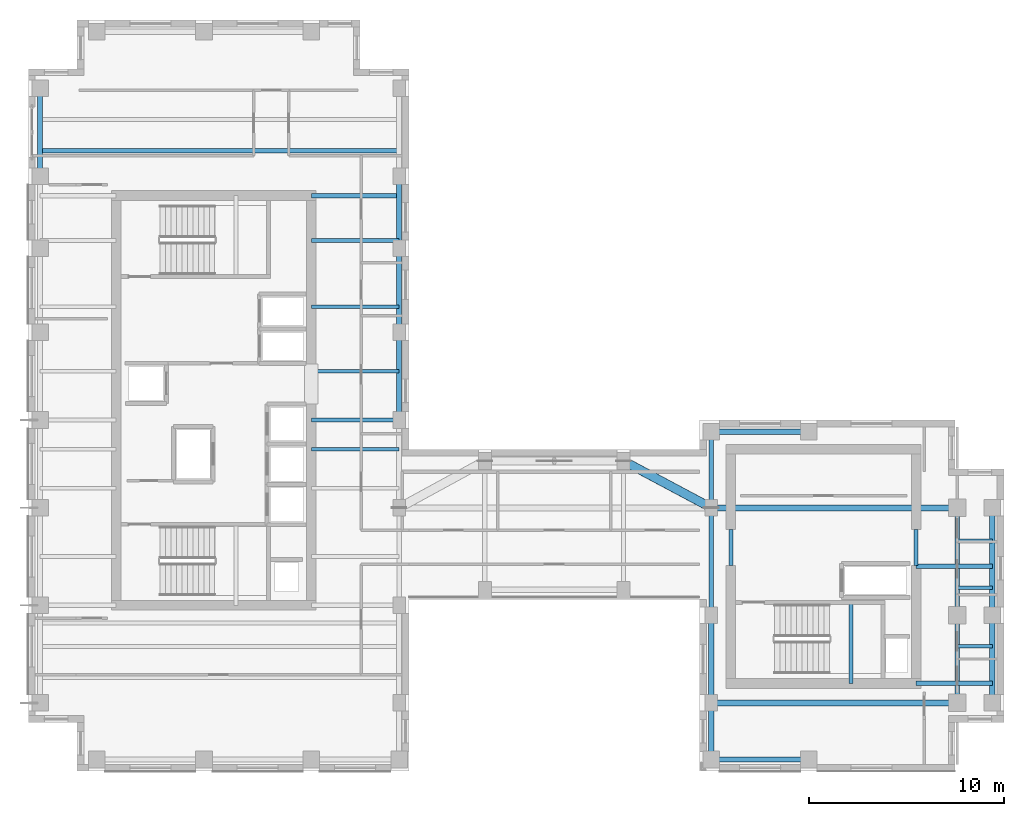
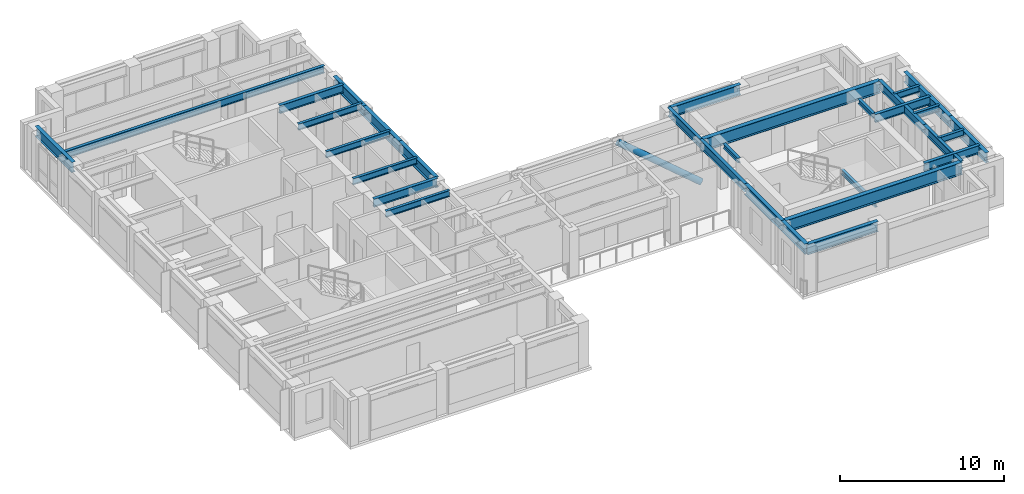
# One storey, part 3 of 13: 31 beams, 1 member.
"""IFC4 building model written with IfcOpenShell, lengths in metres."""

from ifc_helpers import new_model, si_unit, direction, frame, origin, origin_2d, place, context, subcontext, project, spatial, hollow_circle, i_section, extrude, source, transform, mapped, material, material_profile, profile_set, type_object, element, save


model = new_model("IFC4")

# Units and contexts
model_context = context("Model", 3, precision=1e-05, world=origin(), true_north=direction((0.0, 1.0)))
body_context = subcontext(model_context, "Body", "Model", "MODEL_VIEW")
ifc_project = project(units=[si_unit("LENGTHUNIT", "METRE"), si_unit("AREAUNIT", "SQUARE_METRE"), si_unit("VOLUMEUNIT", "CUBIC_METRE"), si_unit("PLANEANGLEUNIT", "RADIAN"), si_unit("MASSUNIT", "GRAM", prefix="KILO")], contexts=[model_context])

# Site, building, storey
site_placement = place(None, origin())
site = spatial("IfcSite", under=ifc_project, at=site_placement, CompositionType="ELEMENT")
building_placement = place(site_placement, origin())
building = spatial("IfcBuilding", under=site, at=building_placement, Name="Kharzan Plaza Tower", CompositionType="ELEMENT")
storey_placement = place(building_placement, frame((0.0, 0.0, 244.800048828125)))
storey = spatial("IfcBuildingStorey", under=building, at=storey_placement, Name="L66", CompositionType="ELEMENT", Elevation=244.800048828125)

# Beams
ifc_material = material(Name="Steel S355", Category="steel")
ifc_material_profile_1 = material_profile(ifc_material, i_section(OverallWidth=0.205078125, OverallDepth=0.35400390625, WebThickness=0.009521484375, FlangeThickness=0.016845703125, at=origin_2d()), Name="W360x79")
ifc_profile_set_1 = profile_set([ifc_material_profile_1], Name="Steel S355")
beam_type_1 = type_object("IfcBeamType", Name="BM-LNT360", PredefinedType="LINTEL", material=ifc_profile_set_1)
shared_shape_1 = source(origin(), body_context, "Body", "SweptSolid", [
    extrude(i_section(OverallWidth=0.205078125, OverallDepth=0.35400390625, WebThickness=0.009521484375, FlangeThickness=0.016845703125, at=origin_2d()), origin(), (0.0, 0.0, 1.0), 1.849853515625),
])
for number, where, z_axis, x_axis, name in (
    (1, (45.5, 10.550048828125, 3.222900390625), (0.0, 1.0, 0.0), (-1.0, 0.0, 0.0), "L66 CORE-B coupling lintel LN1-WE"),
    (2, (36.0, 10.550048828125, 3.222900390625), (0.0, 1.0, 0.0), (-1.0, 0.0, 0.0), "L66 CORE-B coupling lintel LN1-WW"),
):
    element("IfcBeam", number, at=place(storey_placement, frame(where, z_axis=z_axis, x_axis=x_axis)), inside=storey, type_object=beam_type_1, Name=name, PredefinedType="LINTEL", context=body_context, shape_type="MappedRepresentation", body=[
        mapped(shared_shape_1, transform((0.0, 0.0, 0.0), x_axis=(1.0, 0.0, 0.0), y_axis=(0.0, 1.0, 0.0), z_axis=(0.0, 0.0, 1.0))),
    ])
shared_shape_2 = source(origin(), body_context, "Body", "SweptSolid", [
    extrude(i_section(OverallWidth=0.205078125, OverallDepth=0.35400390625, WebThickness=0.009521484375, FlangeThickness=0.016845703125, at=origin_2d()), origin(), (0.0, 0.0, 1.0), 4.155029296875),
])
beam_1_placement = place(storey_placement, frame((42.14990234375, 4.5, 1.4228515625), z_axis=(0.0, 1.0, 0.0), x_axis=(-1.0, 0.0, 0.0)))
element("IfcBeam", 3, at=beam_1_placement, inside=storey, type_object=beam_type_1, Name="L66 Stair ST-3 Half-Landing Beam", PredefinedType="LINTEL", context=body_context, shape_type="MappedRepresentation", body=[
    mapped(shared_shape_2, transform((0.0, 0.0, 0.0), x_axis=(1.0, 0.0, 0.0), y_axis=(0.0, 1.0, 0.0), z_axis=(0.0, 0.0, 1.0))),
])
ifc_material_profile_2 = material_profile(ifc_material, i_section(OverallWidth=0.304931640625, OverallDepth=0.9189453125, WebThickness=0.017333984375, FlangeThickness=0.02783203125, at=origin_2d()), Name="W920x253")
ifc_profile_set_2 = profile_set([ifc_material_profile_2], Name="Steel S355")
beam_type_2 = type_object("IfcBeamType", Name="BM-FG920B", PredefinedType="BEAM", material=ifc_profile_set_2)
shared_shape_3 = source(origin(), body_context, "Body", "SweptSolid", [
    extrude(i_section(OverallWidth=0.304931640625, OverallDepth=0.9189453125, WebThickness=0.017333984375, FlangeThickness=0.02783203125, at=origin_2d()), origin(), (0.0, 0.0, 1.0), 12.60009765625),
])
for number, where, z_axis, x_axis, name in (
    (4, (35.0, 3.5, 2.9404296875), (1.0, 0.0, 0.0), (0.0, 1.0, 0.0), "L66 Primary Floor Girder"),
    (5, (35.0, 13.5, 2.9404296875), (1.0, 0.0, 0.0), (0.0, 1.0, 0.0), "L66 Primary Floor Girder"),
):
    element("IfcBeam", number, at=place(storey_placement, frame(where, z_axis=z_axis, x_axis=x_axis)), inside=storey, type_object=beam_type_2, Name=name, PredefinedType="BEAM", context=body_context, shape_type="MappedRepresentation", body=[
        mapped(shared_shape_3, transform((0.0, 0.0, 0.0), x_axis=(1.0, 0.0, 0.0), y_axis=(0.0, 1.0, 0.0), z_axis=(0.0, 0.0, 1.0))),
    ])
ifc_material_profile_3 = material_profile(ifc_material, i_section(OverallWidth=0.2099609375, OverallDepth=0.537109375, WebThickness=0.010986328125, FlangeThickness=0.017333984375, at=origin_2d()), Name="W530x101")
ifc_profile_set_3 = profile_set([ifc_material_profile_3], Name="Steel S355")
beam_type_3 = type_object("IfcBeamType", Name="BM-JST530B", PredefinedType="JOIST", material=ifc_profile_set_3)
shared_shape_4 = source(origin(), body_context, "Body", "SweptSolid", [
    extrude(i_section(OverallWidth=0.2099609375, OverallDepth=0.537109375, WebThickness=0.010986328125, FlangeThickness=0.017333984375, at=origin_2d()), origin(), (0.0, 0.0, 1.0), 18.39990234375),
])
beam_2_placement = place(storey_placement, frame((0.60009765625, 31.800048828125, 3.13134765625), z_axis=(1.0, 0.0, 0.0), x_axis=(0.0, 1.0, 0.0)))
element("IfcBeam", 6, at=beam_2_placement, inside=storey, type_object=beam_type_3, Name="L66 Wing A Composite Joist 04", PredefinedType="JOIST", context=body_context, shape_type="MappedRepresentation", body=[
    mapped(shared_shape_4, transform((0.0, 0.0, 0.0), x_axis=(1.0, 0.0, 0.0), y_axis=(0.0, 1.0, 0.0), z_axis=(0.0, 0.0, 1.0))),
])
ifc_material_profile_4 = material_profile(ifc_material, i_section(OverallWidth=0.194091796875, OverallDepth=0.468994140625, WebThickness=0.011474609375, FlangeThickness=0.0205078125, at=origin_2d()), Name="W460x106")
ifc_profile_set_4 = profile_set([ifc_material_profile_4], Name="Steel S355")
beam_type_4 = type_object("IfcBeamType", Name="BM-JST460", PredefinedType="JOIST", material=ifc_profile_set_4)
shared_shape_5 = source(origin(), body_context, "Body", "SweptSolid", [
    extrude(i_section(OverallWidth=0.194091796875, OverallDepth=0.468994140625, WebThickness=0.011474609375, FlangeThickness=0.0205078125, at=origin_2d()), origin(), (0.0, 0.0, 1.0), 4.5),
])
for number, where, z_axis, x_axis, name in (
    (7, (14.5, 16.5, 3.16552734375), (1.0, 0.0, 0.0), (0.0, 1.0, 0.0), "L66 Wing A East Infill Joist 3"),
    (8, (14.5, 20.5, 3.16552734375), (1.0, 0.0, 0.0), (0.0, 1.0, 0.0), "L66 Wing A East Infill Joist 4"),
    (9, (14.5, 23.800048828125, 3.16552734375), (1.0, 0.0, 0.0), (0.0, 1.0, 0.0), "L66 Wing A East Infill Joist 5"),
    (10, (14.5, 27.199951171875, 3.16552734375), (1.0, 0.0, 0.0), (0.0, 1.0, 0.0), "L66 Wing A East Infill Joist 6"),
):
    element("IfcBeam", number, at=place(storey_placement, frame(where, z_axis=z_axis, x_axis=x_axis)), inside=storey, type_object=beam_type_4, Name=name, PredefinedType="JOIST", context=body_context, shape_type="MappedRepresentation", body=[
        mapped(shared_shape_5, transform((0.0, 0.0, 0.0), x_axis=(1.0, 0.0, 0.0), y_axis=(0.0, 1.0, 0.0), z_axis=(0.0, 0.0, 1.0))),
    ])
ifc_material_profile_5 = material_profile(ifc_material, i_section(OverallWidth=0.22900390625, OverallDepth=0.612060546875, WebThickness=0.011962890625, FlangeThickness=0.01953125, at=origin_2d()), Name="W610x125")
ifc_profile_set_5 = profile_set([ifc_material_profile_5], Name="Steel S355")
beam_type_5 = type_object("IfcBeamType", Name="BM-FG610B", PredefinedType="BEAM", material=ifc_profile_set_5)
shared_shape_6 = source(origin(), body_context, "Body", "SweptSolid", [
    extrude(i_section(OverallWidth=0.22900390625, OverallDepth=0.612060546875, WebThickness=0.011962890625, FlangeThickness=0.01953125, at=origin_2d()), origin(), (0.0, 0.0, 1.0), 4.5),
])
for number, where, z_axis, x_axis, name in (
    (11, (14.5, 18.0, 3.093994140625), (1.0, 0.0, 0.0), (0.0, 1.0, 0.0), "L66 Core-A East Floor Girder 2"),
    (12, (14.5, 29.5, 3.093994140625), (1.0, 0.0, 0.0), (0.0, 1.0, 0.0), "L66 Core-A East Floor Girder 3"),
    (13, (47.60009765625, 3.5, 3.093994140625), (0.0, 1.0, 0.0), (-1.0, 0.0, 0.0), "L66 Interior Frame Girder"),
):
    element("IfcBeam", number, at=place(storey_placement, frame(where, z_axis=z_axis, x_axis=x_axis)), inside=storey, type_object=beam_type_5, Name=name, PredefinedType="BEAM", context=body_context, shape_type="MappedRepresentation", body=[
        mapped(shared_shape_6, transform((0.0, 0.0, 0.0), x_axis=(1.0, 0.0, 0.0), y_axis=(0.0, 1.0, 0.0), z_axis=(0.0, 0.0, 1.0))),
    ])
shared_shape_7 = source(origin(), body_context, "Body", "SweptSolid", [
    extrude(i_section(OverallWidth=0.22900390625, OverallDepth=0.612060546875, WebThickness=0.011962890625, FlangeThickness=0.01953125, at=origin_2d()), origin(), (0.0, 0.0, 1.0), 3.89990234375),
])
for number, where, z_axis, x_axis, name in (
    (14, (45.5, 4.5, 3.093994140625), (1.0, 0.0, 0.0), (0.0, 1.0, 0.0), "L66 Core-B East Floor Girder 1"),
    (15, (45.5, 10.5, 3.093994140625), (1.0, 0.0, 0.0), (0.0, 1.0, 0.0), "L66 Core-B East Floor Girder 2"),
    (16, (35.0, 13.5, 3.093994140625), (0.0, 1.0, 0.0), (-1.0, 0.0, 0.0), "L66 Interior Frame Girder"),
):
    element("IfcBeam", number, at=place(storey_placement, frame(where, z_axis=z_axis, x_axis=x_axis)), inside=storey, type_object=beam_type_5, Name=name, PredefinedType="BEAM", context=body_context, shape_type="MappedRepresentation", body=[
        mapped(shared_shape_7, transform((0.0, 0.0, 0.0), x_axis=(1.0, 0.0, 0.0), y_axis=(0.0, 1.0, 0.0), z_axis=(0.0, 0.0, 1.0))),
    ])
shared_shape_8 = source(origin(), body_context, "Body", "SweptSolid", [
    extrude(i_section(OverallWidth=0.22900390625, OverallDepth=0.612060546875, WebThickness=0.011962890625, FlangeThickness=0.01953125, at=origin_2d()), origin(), (0.0, 0.0, 1.0), 5.5),
])
for number, where, z_axis, x_axis, name in (
    (17, (35.0, 8.0, 3.093994140625), (0.0, 1.0, 0.0), (-1.0, 0.0, 0.0), "L66 Interior Frame Girder"),
    (18, (47.60009765625, 8.0, 3.093994140625), (0.0, 1.0, 0.0), (-1.0, 0.0, 0.0), "L66 Interior Frame Girder"),
):
    element("IfcBeam", number, at=place(storey_placement, frame(where, z_axis=z_axis, x_axis=x_axis)), inside=storey, type_object=beam_type_5, Name=name, PredefinedType="BEAM", context=body_context, shape_type="MappedRepresentation", body=[
        mapped(shared_shape_8, transform((0.0, 0.0, 0.0), x_axis=(1.0, 0.0, 0.0), y_axis=(0.0, 1.0, 0.0), z_axis=(0.0, 0.0, 1.0))),
    ])
shared_shape_9 = source(origin(), body_context, "Body", "SweptSolid", [
    extrude(i_section(OverallWidth=0.194091796875, OverallDepth=0.468994140625, WebThickness=0.011474609375, FlangeThickness=0.0205078125, at=origin_2d()), origin(), (0.0, 0.0, 1.0), 1.7998046875),
])
for number, where, z_axis, x_axis, name in (
    (19, (47.60009765625, 6.39990234375, 3.16552734375), (1.0, 0.0, 0.0), (0.0, 1.0, 0.0), "L66 Wing B Composite Joist 02"),
    (20, (47.60009765625, 9.39990234375, 3.16552734375), (1.0, 0.0, 0.0), (0.0, 1.0, 0.0), "L66 Wing B Composite Joist 03"),
    (21, (47.60009765625, 11.800048828125, 3.16552734375), (1.0, 0.0, 0.0), (0.0, 1.0, 0.0), "L66 Wing B Composite Joist 04"),
):
    element("IfcBeam", number, at=place(storey_placement, frame(where, z_axis=z_axis, x_axis=x_axis)), inside=storey, type_object=beam_type_4, Name=name, PredefinedType="JOIST", context=body_context, shape_type="MappedRepresentation", body=[
        mapped(shared_shape_9, transform((0.0, 0.0, 0.0), x_axis=(1.0, 0.0, 0.0), y_axis=(0.0, 1.0, 0.0), z_axis=(0.0, 0.0, 1.0))),
    ])
ifc_material_profile_6 = material_profile(ifc_material, i_section(OverallWidth=0.26708984375, OverallDepth=0.76611328125, WebThickness=0.014892578125, FlangeThickness=0.023681640625, at=origin_2d()), Name="W760x185")
ifc_profile_set_6 = profile_set([ifc_material_profile_6], Name="Steel S355")
beam_type_6 = type_object("IfcBeamType", Name="BM-SP760B", PredefinedType="SPANDREL", material=ifc_profile_set_6)
shared_shape_10 = source(origin(), body_context, "Body", "SweptSolid", [
    extrude(i_section(OverallWidth=0.26708984375, OverallDepth=0.76611328125, WebThickness=0.014892578125, FlangeThickness=0.023681640625, at=origin_2d()), origin(), (0.0, 0.0, 1.0), 5.0),
])
for number, where, z_axis, x_axis, name in (
    (22, (35.0, 0.60009765625, 3.016845703125), (1.0, 0.0, 0.0), (0.0, 1.0, 0.0), "L66 Perimeter Tube Spandrel"),
    (23, (35.0, 17.39990234375, 3.016845703125), (1.0, 0.0, 0.0), (0.0, 1.0, 0.0), "L66 Perimeter Tube Spandrel"),
):
    element("IfcBeam", number, at=place(storey_placement, frame(where, z_axis=z_axis, x_axis=x_axis)), inside=storey, type_object=beam_type_6, Name=name, PredefinedType="SPANDREL", context=body_context, shape_type="MappedRepresentation", body=[
        mapped(shared_shape_10, transform((0.0, 0.0, 0.0), x_axis=(1.0, 0.0, 0.0), y_axis=(0.0, 1.0, 0.0), z_axis=(0.0, 0.0, 1.0))),
    ])
shared_shape_11 = source(origin(), body_context, "Body", "SweptSolid", [
    extrude(i_section(OverallWidth=0.26708984375, OverallDepth=0.76611328125, WebThickness=0.014892578125, FlangeThickness=0.023681640625, at=origin_2d()), origin(), (0.0, 0.0, 1.0), 4.5),
])
for number, where, z_axis, x_axis, name in (
    (24, (0.60009765625, 30.5, 3.016845703125), (0.0, 1.0, 0.0), (-1.0, 0.0, 0.0), "L66 Perimeter Tube Spandrel"),
    (25, (19.0, 18.0, 3.016845703125), (0.0, 1.0, 0.0), (-1.0, 0.0, 0.0), "L66 Perimeter Tube Spandrel"),
    (26, (35.0, 3.5, 3.016845703125), (0.0, 1.0, 0.0), (-1.0, 0.0, 0.0), "L66 Perimeter Tube Spandrel"),
    (27, (49.39990234375, 3.5, 3.016845703125), (0.0, 1.0, 0.0), (-1.0, 0.0, 0.0), "L66 Perimeter Tube Spandrel"),
):
    element("IfcBeam", number, at=place(storey_placement, frame(where, z_axis=z_axis, x_axis=x_axis)), inside=storey, type_object=beam_type_6, Name=name, PredefinedType="SPANDREL", context=body_context, shape_type="MappedRepresentation", body=[
        mapped(shared_shape_11, transform((0.0, 0.0, 0.0), x_axis=(1.0, 0.0, 0.0), y_axis=(0.0, 1.0, 0.0), z_axis=(0.0, 0.0, 1.0))),
    ])
shared_shape_12 = source(origin(), body_context, "Body", "SweptSolid", [
    extrude(i_section(OverallWidth=0.26708984375, OverallDepth=0.76611328125, WebThickness=0.014892578125, FlangeThickness=0.023681640625, at=origin_2d()), origin(), (0.0, 0.0, 1.0), 4.300048828125),
])
beam_3_placement = place(storey_placement, frame((19.0, 22.5, 3.016845703125), z_axis=(0.0, 1.0, 0.0), x_axis=(-1.0, 0.0, 0.0)))
element("IfcBeam", 28, at=beam_3_placement, inside=storey, type_object=beam_type_6, Name="L66 Perimeter Tube Spandrel", PredefinedType="SPANDREL", context=body_context, shape_type="MappedRepresentation", body=[
    mapped(shared_shape_12, transform((0.0, 0.0, 0.0), x_axis=(1.0, 0.0, 0.0), y_axis=(0.0, 1.0, 0.0), z_axis=(0.0, 0.0, 1.0))),
])
shared_shape_13 = source(origin(), body_context, "Body", "SweptSolid", [
    extrude(i_section(OverallWidth=0.26708984375, OverallDepth=0.76611328125, WebThickness=0.014892578125, FlangeThickness=0.023681640625, at=origin_2d()), origin(), (0.0, 0.0, 1.0), 3.699951171875),
])
beam_4_placement = place(storey_placement, frame((19.0, 26.800048828125, 3.016845703125), z_axis=(0.0, 1.0, 0.0), x_axis=(-1.0, 0.0, 0.0)))
element("IfcBeam", 29, at=beam_4_placement, inside=storey, type_object=beam_type_6, Name="L66 Perimeter Tube Spandrel", PredefinedType="SPANDREL", context=body_context, shape_type="MappedRepresentation", body=[
    mapped(shared_shape_13, transform((0.0, 0.0, 0.0), x_axis=(1.0, 0.0, 0.0), y_axis=(0.0, 1.0, 0.0), z_axis=(0.0, 0.0, 1.0))),
])
shared_shape_14 = source(origin(), body_context, "Body", "SweptSolid", [
    extrude(i_section(OverallWidth=0.26708984375, OverallDepth=0.76611328125, WebThickness=0.014892578125, FlangeThickness=0.023681640625, at=origin_2d()), origin(), (0.0, 0.0, 1.0), 2.89990234375),
])
beam_5_placement = place(storey_placement, frame((35.0, 0.60009765625, 3.016845703125), z_axis=(0.0, 1.0, 0.0), x_axis=(-1.0, 0.0, 0.0)))
element("IfcBeam", 30, at=beam_5_placement, inside=storey, type_object=beam_type_6, Name="L66 Perimeter Tube Spandrel", PredefinedType="SPANDREL", context=body_context, shape_type="MappedRepresentation", body=[
    mapped(shared_shape_14, transform((0.0, 0.0, 0.0), x_axis=(1.0, 0.0, 0.0), y_axis=(0.0, 1.0, 0.0), z_axis=(0.0, 0.0, 1.0))),
])
shared_shape_15 = source(origin(), body_context, "Body", "SweptSolid", [
    extrude(i_section(OverallWidth=0.26708984375, OverallDepth=0.76611328125, WebThickness=0.014892578125, FlangeThickness=0.023681640625, at=origin_2d()), origin(), (0.0, 0.0, 1.0), 5.5),
])
beam_6_placement = place(storey_placement, frame((49.39990234375, 8.0, 3.016845703125), z_axis=(0.0, 1.0, 0.0), x_axis=(-1.0, 0.0, 0.0)))
element("IfcBeam", 31, at=beam_6_placement, inside=storey, type_object=beam_type_6, Name="L66 Perimeter Tube Spandrel", PredefinedType="SPANDREL", context=body_context, shape_type="MappedRepresentation", body=[
    mapped(shared_shape_15, transform((0.0, 0.0, 0.0), x_axis=(1.0, 0.0, 0.0), y_axis=(0.0, 1.0, 0.0), z_axis=(0.0, 0.0, 1.0))),
])

# Member
ifc_material_profile_7 = material_profile(ifc_material, hollow_circle(Radius=0.228515625, WallThickness=0.01611328125, at=origin_2d()), Name="CHS457x16")
ifc_profile_set_7 = profile_set([ifc_material_profile_7], Name="Steel S355")
member_type = type_object("IfcMemberType", Name="MEM-WP-STRUT", PredefinedType="STRUT", material=ifc_profile_set_7)
shared_shape_16 = source(origin(), body_context, "Body", "SweptSolid", [
    extrude(hollow_circle(Radius=0.228515625, WallThickness=0.01611328125, at=origin_2d()), origin(), (0.0, 0.0, 1.0), 5.9580078125),
])
member_placement = place(storey_placement, frame((35.0, 13.5, 0.199951171875), z_axis=(-0.755301387261, 0.40281101545, 0.516974951263), x_axis=(-0.470573327259, -0.882360891967, 0.0)))
element("IfcMember", 32, at=member_placement, inside=storey, type_object=member_type, Name="L66 Wind Portal Frame V-Strut East", PredefinedType="STRUT", context=body_context, shape_type="MappedRepresentation", body=[
    mapped(shared_shape_16, transform((0.0, 0.0, 0.0), x_axis=(1.0, 0.0, 0.0), y_axis=(0.0, 1.0, 0.0), z_axis=(0.0, 0.0, 1.0))),
])

save(model, "model.ifc")
